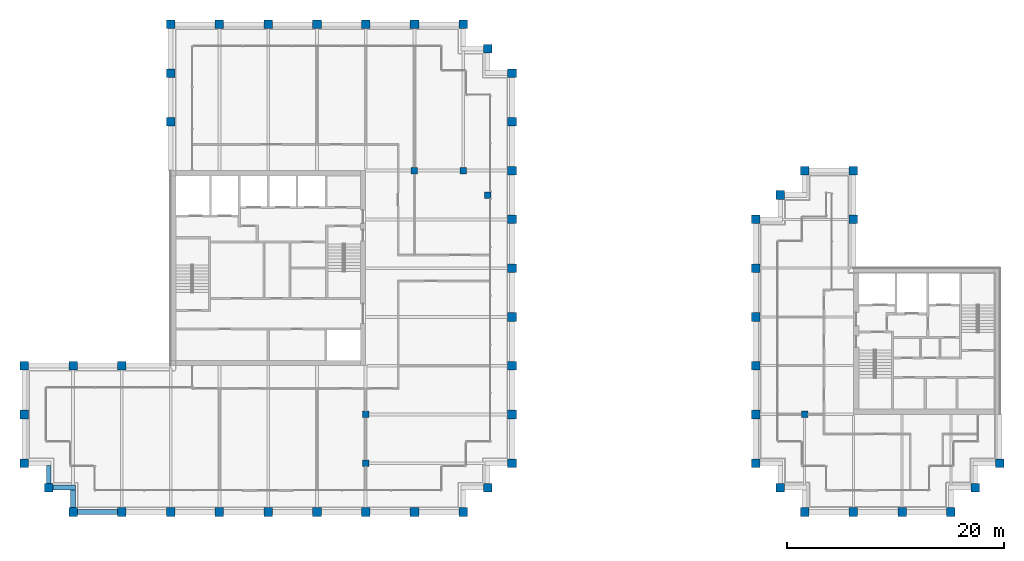
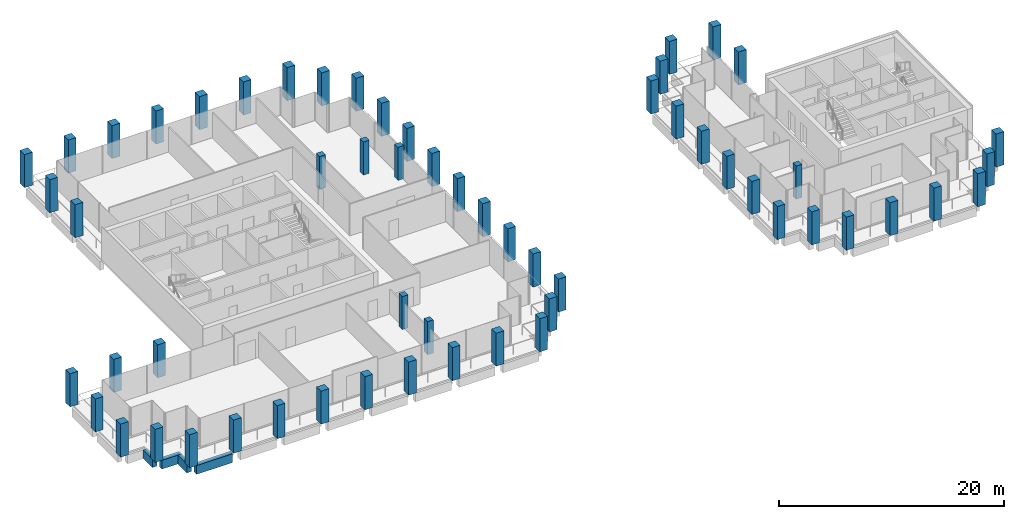
# One storey, part 1 of 40: 58 columns, 4 beams.
"""IFC4 building model written with IfcOpenShell, lengths in metres."""

from ifc_helpers import new_model, si_unit, direction, frame, origin, origin_2d, place, context, subcontext, project, spatial, rectangle, extrude, material, material_profile, profile_set, type_object, element, save


model = new_model("IFC4")

# Units and contexts
model_context = context("Model", 3, precision=1e-05, world=origin(), true_north=direction((0.0, 1.0)))
body_context = subcontext(model_context, "Body", "Model", "MODEL_VIEW")
ifc_project = project(units=[si_unit("LENGTHUNIT", "METRE"), si_unit("AREAUNIT", "SQUARE_METRE"), si_unit("VOLUMEUNIT", "CUBIC_METRE"), si_unit("PLANEANGLEUNIT", "RADIAN"), si_unit("MASSUNIT", "GRAM", prefix="KILO")], contexts=[model_context])

# Site, building, storey
site_placement = place(None, origin())
site = spatial("IfcSite", under=ifc_project, at=site_placement, CompositionType="ELEMENT")
building_placement = place(site_placement, origin())
building = spatial("IfcBuilding", under=site, at=building_placement, Name="Altepetl Exchange Towers", CompositionType="ELEMENT")
storey_placement = place(building_placement, frame((0.0, 0.0, 199.199951171875)))
storey = spatial("IfcBuildingStorey", under=building, at=storey_placement, Name="L50", CompositionType="ELEMENT", Elevation=199.199951171875)

# Columns
ifc_material_1 = material(Name="Concrete C70/85", Category="concrete")
ifc_material_profile_1 = material_profile(ifc_material_1, rectangle(XDim=0.60009765625, YDim=0.60009765625, at=origin_2d()), Name="600 x 600")
ifc_profile_set_1 = profile_set([ifc_material_profile_1], Name="Concrete C70/85")
column_type_1 = type_object("IfcColumnType", Name="Interior column 600", PredefinedType="COLUMN", material=ifc_profile_set_1)
for number, where, name in (
    (1, (58.5, 31.5, 0.0), "col:A:L50:035"),
    (2, (58.5, 36.0, 0.0), "col:A:L50:036"),
    (3, (63.0, 58.5, 0.0), "col:A:L50:037"),
    (4, (67.5, 58.5, 0.0), "col:A:L50:038"),
    (5, (69.75, 56.25, 0.0), "col:A:L50:039"),
    (6, (99.0, 36.0, 0.0), "col:B:L50:017"),
):
    element("IfcColumn", number, at=place(storey_placement, frame(where)), inside=storey, type_object=column_type_1, Name=name, PredefinedType="COLUMN", context=body_context, shape_type="SweptSolid", body=[
        extrude(rectangle(XDim=0.60009765625, YDim=0.60009765625, at=origin_2d()), origin(), (0.0, 0.0, 1.0), 3.60009765625),
    ])
ifc_material_2 = material(Name="Concrete C70/85 precast with cantera amarilla facing", Category="concrete")
ifc_material_profile_2 = material_profile(ifc_material_2, rectangle(XDim=0.800048828125, YDim=0.800048828125, at=origin_2d()), Name="800 x 800")
ifc_profile_set_2 = profile_set([ifc_material_profile_2], Name="Concrete C70/85 precast with cantera amarilla facing")
column_type_2 = type_object("IfcColumnType", Name="Perimeter column 800 cantera amarilla", PredefinedType="COLUMN", material=ifc_profile_set_2)
for number, where, name in (
    (7, (58.5, 27.0, 0.0), "col:A:L50:006"),
    (8, (63.0, 27.0, 0.0), "col:A:L50:007"),
    (9, (67.5, 27.0, 0.0), "col:A:L50:008"),
    (10, (69.75, 29.25, 0.0), "col:A:L50:009"),
    (11, (72.0, 31.5, 0.0), "col:A:L50:010"),
    (12, (72.0, 36.0, 0.0), "col:A:L50:011"),
    (13, (72.0, 40.5, 0.0), "col:A:L50:012"),
    (14, (72.0, 45.0, 0.0), "col:A:L50:013"),
    (15, (72.0, 49.5, 0.0), "col:A:L50:014"),
    (16, (72.0, 54.0, 0.0), "col:A:L50:015"),
):
    element("IfcColumn", number, at=place(storey_placement, frame(where)), inside=storey, type_object=column_type_2, Name=name, PredefinedType="COLUMN", context=body_context, shape_type="SweptSolid", body=[
        extrude(rectangle(XDim=0.800048828125, YDim=0.800048828125, at=origin_2d()), origin(), (0.0, 0.0, 1.0), 3.60009765625),
    ])
ifc_material_3 = material(Name="Concrete C70/85 precast with cantera blanca facing", Category="concrete")
ifc_material_profile_3 = material_profile(ifc_material_3, rectangle(XDim=0.800048828125, YDim=0.800048828125, at=origin_2d()), Name="800 x 800")
ifc_profile_set_3 = profile_set([ifc_material_profile_3], Name="Concrete C70/85 precast with cantera blanca facing")
column_type_3 = type_object("IfcColumnType", Name="Perimeter column 800 cantera blanca", PredefinedType="COLUMN", material=ifc_profile_set_3)
for number, where, name in (
    (17, (31.5, 27.0, 0.0), "col:A:L50:000"),
    (18, (36.0, 27.0, 0.0), "col:A:L50:001"),
    (19, (40.5, 27.0, 0.0), "col:A:L50:002"),
    (20, (45.0, 27.0, 0.0), "col:A:L50:003"),
    (21, (49.5, 27.0, 0.0), "col:A:L50:004"),
    (22, (54.0, 27.0, 0.0), "col:A:L50:005"),
    (23, (27.0, 36.0, 0.0), "col:A:L50:032"),
    (24, (27.0, 31.5, 0.0), "col:A:L50:033"),
    (25, (29.25, 29.25, 0.0), "col:A:L50:034"),
    (26, (117.0, 31.5, 0.0), "col:B:L50:005"),
):
    element("IfcColumn", number, at=place(storey_placement, frame(where)), inside=storey, type_object=column_type_3, Name=name, PredefinedType="COLUMN", context=body_context, shape_type="SweptSolid", body=[
        extrude(rectangle(XDim=0.800048828125, YDim=0.800048828125, at=origin_2d()), origin(), (0.0, 0.0, 1.0), 3.60009765625),
    ])
ifc_material_4 = material(Name="Concrete C70/85 precast with cantera rosa facing", Category="concrete")
ifc_material_profile_4 = material_profile(ifc_material_4, rectangle(XDim=0.800048828125, YDim=0.800048828125, at=origin_2d()), Name="800 x 800")
ifc_profile_set_4 = profile_set([ifc_material_profile_4], Name="Concrete C70/85 precast with cantera rosa facing")
column_type_4 = type_object("IfcColumnType", Name="Perimeter column 800 cantera rosa", PredefinedType="COLUMN", material=ifc_profile_set_4)
for number, where, name in (
    (27, (72.0, 58.5, 0.0), "col:A:L50:016"),
    (28, (72.0, 63.0, 0.0), "col:A:L50:017"),
    (29, (72.0, 67.5, 0.0), "col:A:L50:018"),
    (30, (69.75, 69.75, 0.0), "col:A:L50:019"),
    (31, (67.5, 72.0, 0.0), "col:A:L50:020"),
    (32, (63.0, 72.0, 0.0), "col:A:L50:021"),
    (33, (58.5, 72.0, 0.0), "col:A:L50:022"),
    (34, (54.0, 72.0, 0.0), "col:A:L50:023"),
    (35, (49.5, 72.0, 0.0), "col:A:L50:024"),
    (36, (45.0, 72.0, 0.0), "col:A:L50:025"),
    (37, (103.5, 54.0, 0.0), "col:B:L50:006"),
    (38, (103.5, 58.5, 0.0), "col:B:L50:007"),
    (39, (99.0, 58.5, 0.0), "col:B:L50:008"),
    (40, (96.75, 56.25, 0.0), "col:B:L50:009"),
    (41, (94.5, 54.0, 0.0), "col:B:L50:010"),
    (42, (94.5, 49.5, 0.0), "col:B:L50:011"),
    (43, (94.5, 45.0, 0.0), "col:B:L50:012"),
    (44, (94.5, 40.5, 0.0), "col:B:L50:013"),
    (45, (94.5, 36.0, 0.0), "col:B:L50:014"),
):
    element("IfcColumn", number, at=place(storey_placement, frame(where)), inside=storey, type_object=column_type_4, Name=name, PredefinedType="COLUMN", context=body_context, shape_type="SweptSolid", body=[
        extrude(rectangle(XDim=0.800048828125, YDim=0.800048828125, at=origin_2d()), origin(), (0.0, 0.0, 1.0), 3.60009765625),
    ])
ifc_material_5 = material(Name="Concrete C70/85 precast with tezontle facing", Category="concrete")
ifc_material_profile_5 = material_profile(ifc_material_5, rectangle(XDim=0.800048828125, YDim=0.800048828125, at=origin_2d()), Name="800 x 800")
ifc_profile_set_5 = profile_set([ifc_material_profile_5], Name="Concrete C70/85 precast with tezontle facing")
column_type_5 = type_object("IfcColumnType", Name="Perimeter column 800 tezontle", PredefinedType="COLUMN", material=ifc_profile_set_5)
for number, where, name in (
    (46, (40.5, 72.0, 0.0), "col:A:L50:026"),
    (47, (40.5, 67.5, 0.0), "col:A:L50:027"),
    (48, (40.5, 63.0, 0.0), "col:A:L50:028"),
    (49, (36.0, 40.5, 0.0), "col:A:L50:029"),
    (50, (31.5, 40.5, 0.0), "col:A:L50:030"),
    (51, (27.0, 40.5, 0.0), "col:A:L50:031"),
    (52, (99.0, 27.0, 0.0), "col:B:L50:000"),
    (53, (103.5, 27.0, 0.0), "col:B:L50:001"),
    (54, (108.0, 27.0, 0.0), "col:B:L50:002"),
    (55, (112.5, 27.0, 0.0), "col:B:L50:003"),
    (56, (114.75, 29.25, 0.0), "col:B:L50:004"),
    (57, (94.5, 31.5, 0.0), "col:B:L50:015"),
    (58, (96.75, 29.25, 0.0), "col:B:L50:016"),
):
    element("IfcColumn", number, at=place(storey_placement, frame(where)), inside=storey, type_object=column_type_5, Name=name, PredefinedType="COLUMN", context=body_context, shape_type="SweptSolid", body=[
        extrude(rectangle(XDim=0.800048828125, YDim=0.800048828125, at=origin_2d()), origin(), (0.0, 0.0, 1.0), 3.60009765625),
    ])

# Beams
ifc_material_6 = material(Name="Concrete C50/60 precast with cantera blanca facing", Category="concrete")
ifc_material_profile_6 = material_profile(ifc_material_6, rectangle(XDim=0.449951171875, YDim=0.949951171875, at=origin_2d()), Name="450 x 950")
ifc_profile_set_6 = profile_set([ifc_material_profile_6], Name="Concrete C50/60 precast with cantera blanca facing")
beam_type = type_object("IfcBeamType", Name="Spandrel beam 450x950 cantera blanca", PredefinedType="SPANDREL", material=ifc_profile_set_6)
beam_1_placement = place(storey_placement, frame((31.89990234375, 27.0, -0.625), z_axis=(1.0, 0.0, 0.0), x_axis=(0.0, 1.0, 0.0)))
element("IfcBeam", 59, at=beam_1_placement, inside=storey, type_object=beam_type, Name="sp:A:L50:000", PredefinedType="SPANDREL", context=body_context, shape_type="SweptSolid", body=[
    extrude(rectangle(XDim=0.449951171875, YDim=0.949951171875, at=origin_2d()), origin(), (0.0, 0.0, 1.0), 3.7001953125),
])
beam_2_placement = place(storey_placement, frame((29.25, 31.27490234375, -0.625), z_axis=(0.0, -1.0, 0.0), x_axis=(1.0, 0.0, 0.0)))
element("IfcBeam", 60, at=beam_2_placement, inside=storey, type_object=beam_type, Name="sp:A:L50:039", PredefinedType="SPANDREL", context=body_context, shape_type="SweptSolid", body=[
    extrude(rectangle(XDim=0.449951171875, YDim=0.949951171875, at=origin_2d()), origin(), (0.0, 0.0, 1.0), 1.625),
])
beam_3_placement = place(storey_placement, frame((29.64990234375, 29.25, -0.625), z_axis=(1.0, 0.0, 0.0), x_axis=(0.0, 1.0, 0.0)))
element("IfcBeam", 61, at=beam_3_placement, inside=storey, type_object=beam_type, Name="sp:A:L50:040", PredefinedType="SPANDREL", context=body_context, shape_type="SweptSolid", body=[
    extrude(rectangle(XDim=0.449951171875, YDim=0.949951171875, at=origin_2d()), origin(), (0.0, 0.0, 1.0), 2.0751953125),
])
beam_4_placement = place(storey_placement, frame((31.5, 29.02490234375, -0.625), z_axis=(0.0, -1.0, 0.0), x_axis=(1.0, 0.0, 0.0)))
element("IfcBeam", 62, at=beam_4_placement, inside=storey, type_object=beam_type, Name="sp:A:L50:041", PredefinedType="SPANDREL", context=body_context, shape_type="SweptSolid", body=[
    extrude(rectangle(XDim=0.449951171875, YDim=0.949951171875, at=origin_2d()), origin(), (0.0, 0.0, 1.0), 1.625),
])

save(model, "model.ifc")
